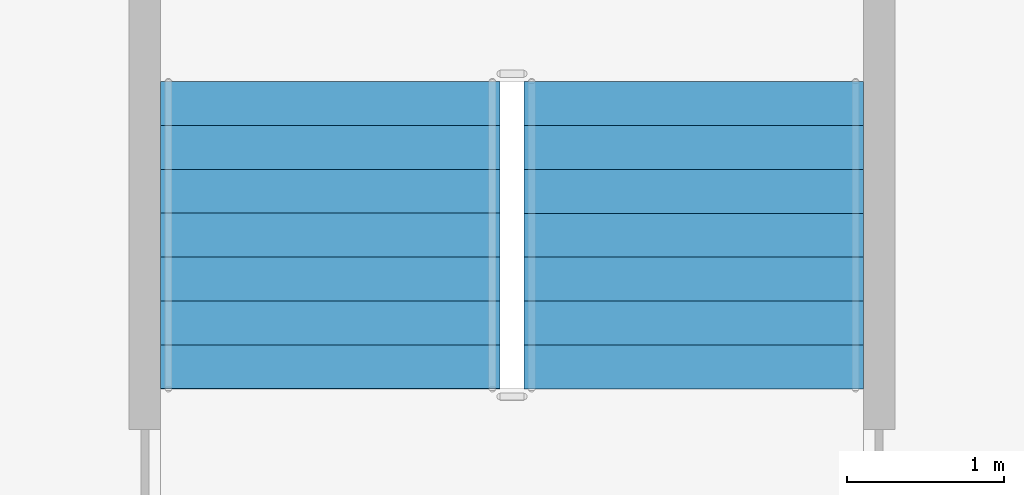
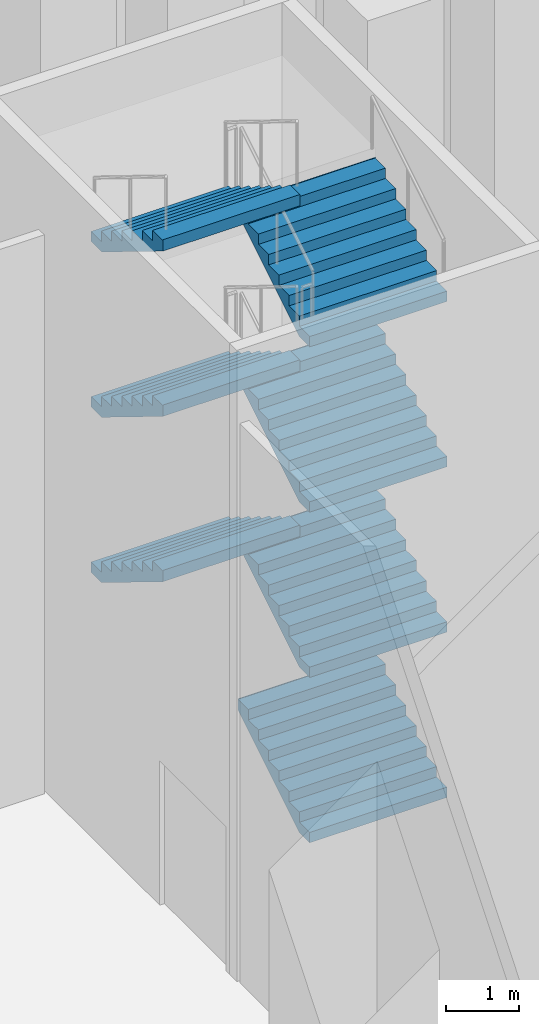
# One storey, part 21 of 31: 7 stair flights, 1 element without a shape of its own.
"""IFC4 building model written with IfcOpenShell, lengths in metres."""

import ifcopenshell
import ifcopenshell.guid

model = None  # the IFC model being written
_history = None  # IfcOwnerHistory: only IFC2X3 demands one
_inside = {}  # id of a spatial element -> (the spatial element, [elements in it])
_under = {}  # id of a project, library or spatial element -> (it, [spatial elements below it])
_declared = {}  # id of a project -> (the project, [libraries it declares])
_typed = {}  # id of a type object -> (the type object, [elements of that type])
_made_of = {}  # id of a material, layer set ... -> (it, [elements and type objects made of it])


def new_model(schema):
    """Start an empty IFC model of exactly this schema.

    Asked for "IFC4X3", IfcOpenShell would pick the latest addendum, in which some entities
    have other attributes; the version numbers below select the first issue.
    IFC2X3 requires an IfcOwnerHistory on every rooted entity: one is made here for all.
    """
    global model, _history
    if schema == "IFC4X3":
        model = ifcopenshell.file(schema_version=(4, 3, 0, 0))
    else:
        model = ifcopenshell.file(schema=schema)
    _inside.clear()
    _under.clear()
    _declared.clear()
    _typed.clear()
    _made_of.clear()
    _history = None
    if model.schema == "IFC2X3":
        org = make("IfcOrganization", Name="unknown")
        user = make(
            "IfcPersonAndOrganization",
            ThePerson=make("IfcPerson", FamilyName="unknown"),
            TheOrganization=org,
        )
        app = make(
            "IfcApplication",
            ApplicationDeveloper=org,
            Version="unknown",
            ApplicationFullName="unknown",
            ApplicationIdentifier="unknown",
        )
        _history = make(
            "IfcOwnerHistory",
            OwningUser=user,
            OwningApplication=app,
            ChangeAction="ADDED",
            CreationDate=0,
        )
    return model


def make(cls, **values):
    """One entity of the class cls with the attributes given. An attribute that is None is left unset."""
    return model.create_entity(
        cls, **{name: value for name, value in values.items() if value is not None}
    )


def rooted(cls, **values):
    """An entity with a GlobalId (a new one), such as an element, a storey or a relation."""
    return make(cls, GlobalId=ifcopenshell.guid.new(), OwnerHistory=_history, **values)


def si_unit(unit_type, name, prefix=None):
    """IfcSIUnit, for example si_unit("LENGTHUNIT", "METRE", prefix="MILLI")."""
    return make("IfcSIUnit", UnitType=unit_type, Prefix=prefix, Name=name)


def assignment(units):
    """IfcUnitAssignment: the units of a project."""
    return None if units is None else make("IfcUnitAssignment", Units=units)


def point(xyz):
    """IfcCartesianPoint."""
    return None if xyz is None else make("IfcCartesianPoint", Coordinates=xyz)


def direction(xyz):
    """IfcDirection."""
    return None if xyz is None else make("IfcDirection", DirectionRatios=xyz)


def frame(location, z_axis=None, x_axis=None):
    """IfcAxis2Placement3D, a coordinate frame: its origin and axes. An axis left out is left unset."""
    return make(
        "IfcAxis2Placement3D",
        Location=point(location),
        Axis=direction(z_axis),
        RefDirection=direction(x_axis),
    )


def origin():
    """The frame at (0, 0, 0) with its axes left unset."""
    return frame((0.0, 0.0, 0.0))


def place(relative_to, where):
    """IfcLocalPlacement: puts the frame where relative to a parent placement (None: the world)."""
    return make(
        "IfcLocalPlacement", PlacementRelTo=relative_to, RelativePlacement=where
    )


def context(
    kind, dimensions, precision=None, world=None, true_north=None, identifier=None
):
    """IfcGeometricRepresentationContext, for example the 3D "Model" context."""
    return make(
        "IfcGeometricRepresentationContext",
        ContextIdentifier=identifier,
        ContextType=kind,
        CoordinateSpaceDimension=dimensions,
        Precision=precision,
        WorldCoordinateSystem=world,
        TrueNorth=true_north,
    )


def subcontext(parent, identifier, kind, view, scale=None):
    """IfcGeometricRepresentationSubContext, for example "Body" below "Model"."""
    return make(
        "IfcGeometricRepresentationSubContext",
        ContextIdentifier=identifier,
        ContextType=kind,
        ParentContext=parent,
        TargetScale=scale,
        TargetView=view,
    )


def project(units=None, contexts=None):
    """IfcProject with its units and contexts."""
    return rooted(
        "IfcProject",
        Name="project",
        RepresentationContexts=contexts,
        UnitsInContext=assignment(units),
    )


def spatial(cls, under=None, at=None, **own):
    """A site, building, storey or space (cls), placed at a placement, below another one or the project."""
    s = rooted(cls, ObjectPlacement=at, **own)
    if under is not None:
        _under.setdefault(under.id(), (under, []))[1].append(s)
    return s


def faces_of(points, faces, orient=None, outer=None):
    """IfcFace entities. A face is a list of loops; a loop is a list of indices into points, from 0.

    orient and outer hold one flag for each loop. By default every Orientation is true, the
    first loop of a face is its IfcFaceOuterBound and the others are IfcFaceBound.
    """
    made = []
    for i, loops in enumerate(faces):
        bounds = []
        for j, loop in enumerate(loops):
            is_outer = j == 0 if outer is None else outer[i][j]
            bounds.append(
                make(
                    "IfcFaceOuterBound" if is_outer else "IfcFaceBound",
                    Bound=make("IfcPolyLoop", Polygon=[points[k] for k in loop]),
                    Orientation=True if orient is None else orient[i][j],
                )
            )
        made.append(make("IfcFace", Bounds=bounds))
    return made


def faceted_brep(points, faces, orient=None, outer=None, voids=None):
    """IfcFacetedBrep: a solid bounded by flat faces; with voids (closed shells), ...WithVoids."""
    shared = [point(p) for p in points]
    hull = make("IfcClosedShell", CfsFaces=faces_of(shared, faces, orient, outer))
    if voids is None:
        return make("IfcFacetedBrep", Outer=hull)
    return make(
        "IfcFacetedBrepWithVoids",
        Outer=hull,
        Voids=[
            make(cls, CfsFaces=faces_of(shared, fs, o, b)) for cls, fs, o, b in voids
        ],
    )


def shape(context_of_items, identifier, shape_type, items):
    """IfcShapeRepresentation: the items that make up one representation, for example the "Body"."""
    return make(
        "IfcShapeRepresentation",
        ContextOfItems=context_of_items,
        RepresentationIdentifier=identifier,
        RepresentationType=shape_type,
        Items=items,
    )


def source(mapping_origin, context_of_items, identifier, shape_type, items):
    """IfcRepresentationMap: a shape defined once, which mapped items show again and again."""
    return make(
        "IfcRepresentationMap",
        MappingOrigin=mapping_origin,
        MappedRepresentation=shape(context_of_items, identifier, shape_type, items),
    )


def transform(
    local_origin,
    x_axis=None,
    y_axis=None,
    z_axis=None,
    scale=None,
    scale2=None,
    scale3=None,
    uniform=True,
):
    """IfcCartesianTransformationOperator3D, or its non-uniform kind. x_axis, y_axis, z_axis: its Axis1, 2, 3."""
    if uniform:
        return make(
            "IfcCartesianTransformationOperator3D",
            Axis1=direction(x_axis),
            Axis2=direction(y_axis),
            LocalOrigin=point(local_origin),
            Scale=scale,
            Axis3=direction(z_axis),
        )
    return make(
        "IfcCartesianTransformationOperator3DnonUniform",
        Axis1=direction(x_axis),
        Axis2=direction(y_axis),
        LocalOrigin=point(local_origin),
        Scale=scale,
        Axis3=direction(z_axis),
        Scale2=scale2,
        Scale3=scale3,
    )


def mapped(mapping_source, mapping_target):
    """IfcMappedItem: shows the shape of a source again, moved by a transform."""
    return make(
        "IfcMappedItem", MappingSource=mapping_source, MappingTarget=mapping_target
    )


def material(Name=None, Category=None):
    """IfcMaterial."""
    return make("IfcMaterial", Name=Name, Category=Category)


def made_of(thing, what):
    """Note that an element or type object is made of a material, layer set ...; save() writes the relation."""
    if what is not None:
        _made_of.setdefault(what.id(), (what, []))[1].append(thing)
    return thing


def type_object(cls, material=None, **own):
    """A type object (cls), such as IfcWallType, which elements share."""
    return made_of(rooted(cls, **own), material)


def element(
    cls,
    number,
    at=None,
    inside=None,
    cuts=None,
    type_object=None,
    material=None,
    context=None,
    identifier="Body",
    shape_type=None,
    held_by="IfcProductDefinitionShape",
    body=None,
    shapes=None,
    **own,
):
    """One element of the class cls, such as IfcWall. Its Tag is "e" and its number.

    at: its placement. inside: the storey or other place that contains it. cuts: it is an
    opening in that element (IfcRelVoidsElement). A single representation is given by context,
    identifier, shape_type and body (its items); several are given by shapes. held_by: the class
    of the entity that holds the representations. save() writes the other relations.
    """
    e = rooted(cls, Tag="e%d" % number, ObjectPlacement=at, **own)
    if body is not None:
        shapes = [shape(context, identifier, shape_type, body)]
    if shapes is not None:
        e.Representation = make(held_by, Representations=shapes)
    if inside is not None:
        _inside.setdefault(inside.id(), (inside, []))[1].append(e)
    if cuts is not None:
        rooted(
            "IfcRelVoidsElement", RelatingBuildingElement=cuts, RelatedOpeningElement=e
        )
    if type_object is not None:
        _typed.setdefault(type_object.id(), (type_object, []))[1].append(e)
    return made_of(e, material)


def aggregate(whole, parts):
    """IfcRelAggregates: a whole, such as a stair, and the parts it consists of."""
    return rooted("IfcRelAggregates", RelatingObject=whole, RelatedObjects=parts)


def save(model, path):
    """Write the relations noted so far, then the file.

    IfcRelAggregates (storeys below a building ...), IfcRelContainedInSpatialStructure (elements
    in a storey), IfcRelDefinesByType, IfcRelAssociatesMaterial and IfcRelDeclares: one each for
    every whole, place, type object, material and project.
    """
    for whole, parts in _under.values():
        aggregate(whole, parts)
    for where, things in _inside.values():
        rooted(
            "IfcRelContainedInSpatialStructure",
            RelatedElements=things,
            RelatingStructure=where,
        )
    for kind, things in _typed.values():
        rooted("IfcRelDefinesByType", RelatedObjects=things, RelatingType=kind)
    for what, things in _made_of.values():
        rooted("IfcRelAssociatesMaterial", RelatedObjects=things, RelatingMaterial=what)
    for by, libraries in _declared.values():
        rooted("IfcRelDeclares", RelatingContext=by, RelatedDefinitions=libraries)
    model.write(path)


model = new_model("IFC4")

# Units and contexts
model_context = context("Model", 3, precision=1e-05, world=origin(), true_north=direction((0.0, 1.0)))
body_context = subcontext(model_context, "Body", "Model", "MODEL_VIEW")
ifc_project = project(units=[si_unit("LENGTHUNIT", "METRE"), si_unit("AREAUNIT", "SQUARE_METRE"), si_unit("VOLUMEUNIT", "CUBIC_METRE"), si_unit("PLANEANGLEUNIT", "RADIAN"), si_unit("MASSUNIT", "GRAM", prefix="KILO")], contexts=[model_context])

# Site, building, storey
site_placement = place(None, origin())
site = spatial("IfcSite", under=ifc_project, at=site_placement, CompositionType="ELEMENT")
building_placement = place(site_placement, origin())
building = spatial("IfcBuilding", under=site, at=building_placement, Name="Calabash Gate Tower", CompositionType="ELEMENT")
storey_placement = place(building_placement, frame((0.0, 0.0, 9.0)))
storey = spatial("IfcBuildingStorey", under=building, at=storey_placement, Name="L01", CompositionType="ELEMENT", Elevation=9.0)

# Stair, stair flights
ifc_material_1 = material(Name="Concrete C40/50", Category="concrete")
stair_type = type_object("IfcStairType", Name="Public stair 64 risers of 171.9 mm", PredefinedType="HALF_TURN_STAIR", material=ifc_material_1)
stair_placement = place(storey_placement, origin())
stair = element("IfcStair", 1, at=stair_placement, inside=storey, type_object=stair_type, Name="L01 Public Stair PS10", PredefinedType="HALF_TURN_STAIR")
ifc_material_2 = material(Name="Concrete C40/50", Category="concrete")
stair_flight_type = type_object("IfcStairFlightType", Name="Exit stair flight SFL", PredefinedType="STRAIGHT", material=ifc_material_2)
shared_shape = source(origin(), body_context, "Body", "Brep", [
    faceted_brep([(-0.0009765625, -1.080078125, 0.0), (0.285888671875, -1.080078125, 0.0), (1.9541015625, -1.080078125, 1.027099609375), (-0.0009765625, 1.080078125, 0.0), (1.9541015625, 1.080078125, 1.027099609375), (0.285888671875, 1.080078125, 0.0), (1.9541015625, -1.080078125, 1.215087890625), (1.952880859375, -1.080078125, 1.215087890625), (1.952880859375, 1.080078125, 1.215087890625), (1.9541015625, 1.080078125, 1.215087890625), (1.952880859375, -1.080078125, 1.203125), (1.952880859375, 1.080078125, 1.203125), (1.674072265625, -1.080078125, 1.203125), (1.674072265625, 1.080078125, 1.203125), (1.674072265625, -1.080078125, 1.03125), (1.674072265625, 1.080078125, 1.03125), (1.39501953125, -1.080078125, 1.03125), (1.39501953125, 1.080078125, 1.03125), (1.39501953125, -1.080078125, 0.859375), (1.39501953125, 1.080078125, 0.859375), (1.115966796875, -1.080078125, 0.859375), (1.115966796875, -1.080078125, 0.6875), (1.115966796875, 1.080078125, 0.6875), (1.115966796875, 1.080078125, 0.859375), (0.8369140625, -1.080078125, 0.6875), (0.8369140625, -1.080078125, 0.515625), (0.8369140625, 1.080078125, 0.515625), (0.8369140625, 1.080078125, 0.6875), (0.55810546875, -1.080078125, 0.515625), (0.55810546875, -1.080078125, 0.34375), (0.55810546875, 1.080078125, 0.34375), (0.55810546875, 1.080078125, 0.515625), (0.279052734375, -1.080078125, 0.34375), (0.279052734375, -1.080078125, 0.171875), (0.279052734375, 1.080078125, 0.171875), (0.279052734375, 1.080078125, 0.34375), (-0.0009765625, -1.080078125, 0.171875), (-0.0009765625, 1.080078125, 0.171875), (0.285888671875, -0.431884765625, 0.0), (1.9541015625, -0.431884765625, 1.027099609375), (0.285888671875, -0.370361328125, 0.0), (1.9541015625, -0.370361328125, 1.027099609375), (0.285888671875, -0.30859375, 0.0), (1.9541015625, -0.30859375, 1.027099609375), (0.285888671875, -0.246826171875, 0.0), (1.9541015625, -0.246826171875, 1.027099609375), (0.285888671875, -0.18505859375, 0.0), (1.9541015625, -0.18505859375, 1.027099609375), (0.285888671875, -0.12353515625, 0.0), (1.9541015625, -0.12353515625, 1.027099609375), (0.285888671875, -0.061767578125, 0.0), (1.9541015625, -0.061767578125, 1.027099609375), (0.285888671875, 0.0, 0.0), (1.9541015625, 0.0, 1.027099609375), (0.285888671875, 0.061767578125, 0.0), (1.9541015625, 0.061767578125, 1.027099609375), (0.285888671875, 0.12353515625, 0.0), (1.9541015625, 0.12353515625, 1.027099609375), (0.285888671875, 0.18505859375, 0.0), (1.9541015625, 0.18505859375, 1.027099609375), (0.285888671875, 0.246826171875, 0.0), (1.9541015625, 0.246826171875, 1.027099609375), (0.285888671875, 0.30859375, 0.0), (1.9541015625, 0.30859375, 1.027099609375), (0.285888671875, 0.370361328125, 0.0), (1.9541015625, 0.370361328125, 1.027099609375), (0.285888671875, 0.431884765625, 0.0), (1.9541015625, 0.431884765625, 1.027099609375), (1.9541015625, -0.431884765625, 1.215087890625), (1.9541015625, -0.370361328125, 1.215087890625), (1.9541015625, -0.30859375, 1.215087890625), (1.9541015625, -0.246826171875, 1.215087890625), (1.9541015625, -0.18505859375, 1.215087890625), (1.9541015625, -0.12353515625, 1.215087890625), (1.9541015625, -0.061767578125, 1.215087890625), (1.9541015625, 0.0, 1.215087890625), (1.9541015625, 0.061767578125, 1.215087890625), (1.9541015625, 0.12353515625, 1.215087890625), (1.9541015625, 0.18505859375, 1.215087890625), (1.9541015625, 0.246826171875, 1.215087890625), (1.9541015625, 0.30859375, 1.215087890625), (1.9541015625, 0.370361328125, 1.215087890625), (1.9541015625, 0.431884765625, 1.215087890625), (1.952880859375, -0.431884765625, 1.215087890625), (1.952880859375, -0.370361328125, 1.215087890625), (1.952880859375, -0.30859375, 1.215087890625), (1.952880859375, -0.246826171875, 1.215087890625), (1.952880859375, -0.18505859375, 1.215087890625), (1.952880859375, -0.12353515625, 1.215087890625), (1.952880859375, -0.061767578125, 1.215087890625), (1.952880859375, 0.0, 1.215087890625), (1.952880859375, 0.061767578125, 1.215087890625), (1.952880859375, 0.12353515625, 1.215087890625), (1.952880859375, 0.18505859375, 1.215087890625), (1.952880859375, 0.246826171875, 1.215087890625), (1.952880859375, 0.30859375, 1.215087890625), (1.952880859375, 0.370361328125, 1.215087890625), (1.952880859375, 0.431884765625, 1.215087890625), (1.952880859375, -0.431884765625, 1.203125), (1.952880859375, -0.370361328125, 1.203125), (1.952880859375, -0.30859375, 1.203125), (1.952880859375, -0.246826171875, 1.203125), (1.952880859375, -0.18505859375, 1.203125), (1.952880859375, -0.12353515625, 1.203125), (1.952880859375, -0.061767578125, 1.203125), (1.952880859375, 0.0, 1.203125), (1.952880859375, 0.061767578125, 1.203125), (1.952880859375, 0.12353515625, 1.203125), (1.952880859375, 0.18505859375, 1.203125), (1.952880859375, 0.246826171875, 1.203125), (1.952880859375, 0.30859375, 1.203125), (1.952880859375, 0.370361328125, 1.203125), (1.952880859375, 0.431884765625, 1.203125), (1.674072265625, -0.431884765625, 1.203125), (1.674072265625, -0.370361328125, 1.203125), (1.674072265625, -0.30859375, 1.203125), (1.674072265625, -0.246826171875, 1.203125), (1.674072265625, -0.18505859375, 1.203125), (1.674072265625, -0.12353515625, 1.203125), (1.674072265625, -0.061767578125, 1.203125), (1.674072265625, 0.0, 1.203125), (1.674072265625, 0.061767578125, 1.203125), (1.674072265625, 0.12353515625, 1.203125), (1.674072265625, 0.18505859375, 1.203125), (1.674072265625, 0.246826171875, 1.203125), (1.674072265625, 0.30859375, 1.203125), (1.674072265625, 0.370361328125, 1.203125), (1.674072265625, 0.431884765625, 1.203125), (1.674072265625, -0.431884765625, 1.03125), (1.674072265625, -0.370361328125, 1.03125), (1.674072265625, -0.30859375, 1.03125), (1.674072265625, -0.246826171875, 1.03125), (1.674072265625, -0.18505859375, 1.03125), (1.674072265625, -0.12353515625, 1.03125), (1.674072265625, -0.061767578125, 1.03125), (1.674072265625, 0.0, 1.03125), (1.674072265625, 0.061767578125, 1.03125), (1.674072265625, 0.12353515625, 1.03125), (1.674072265625, 0.18505859375, 1.03125), (1.674072265625, 0.246826171875, 1.03125), (1.674072265625, 0.30859375, 1.03125), (1.674072265625, 0.370361328125, 1.03125), (1.674072265625, 0.431884765625, 1.03125), (1.39501953125, -0.431884765625, 1.03125), (1.39501953125, -0.370361328125, 1.03125), (1.39501953125, -0.30859375, 1.03125), (1.39501953125, -0.246826171875, 1.03125), (1.39501953125, -0.18505859375, 1.03125), (1.39501953125, -0.12353515625, 1.03125), (1.39501953125, -0.061767578125, 1.03125), (1.39501953125, 0.0, 1.03125), (1.39501953125, 0.061767578125, 1.03125), (1.39501953125, 0.12353515625, 1.03125), (1.39501953125, 0.18505859375, 1.03125), (1.39501953125, 0.246826171875, 1.03125), (1.39501953125, 0.30859375, 1.03125), (1.39501953125, 0.370361328125, 1.03125), (1.39501953125, 0.431884765625, 1.03125), (1.39501953125, -0.431884765625, 0.859375), (1.39501953125, -0.370361328125, 0.859375), (1.39501953125, -0.30859375, 0.859375), (1.39501953125, -0.246826171875, 0.859375), (1.39501953125, -0.18505859375, 0.859375), (1.39501953125, -0.12353515625, 0.859375), (1.39501953125, -0.061767578125, 0.859375), (1.39501953125, 0.0, 0.859375), (1.39501953125, 0.061767578125, 0.859375), (1.39501953125, 0.12353515625, 0.859375), (1.39501953125, 0.18505859375, 0.859375), (1.39501953125, 0.246826171875, 0.859375), (1.39501953125, 0.30859375, 0.859375), (1.39501953125, 0.370361328125, 0.859375), (1.39501953125, 0.431884765625, 0.859375), (1.115966796875, -0.431884765625, 0.859375), (1.115966796875, -0.370361328125, 0.859375), (1.115966796875, -0.30859375, 0.859375), (1.115966796875, -0.246826171875, 0.859375), (1.115966796875, -0.18505859375, 0.859375), (1.115966796875, -0.12353515625, 0.859375), (1.115966796875, -0.061767578125, 0.859375), (1.115966796875, 0.0, 0.859375), (1.115966796875, 0.061767578125, 0.859375), (1.115966796875, 0.12353515625, 0.859375), (1.115966796875, 0.18505859375, 0.859375), (1.115966796875, 0.246826171875, 0.859375), (1.115966796875, 0.30859375, 0.859375), (1.115966796875, 0.370361328125, 0.859375), (1.115966796875, 0.431884765625, 0.859375), (1.115966796875, -0.431884765625, 0.6875), (1.115966796875, -0.370361328125, 0.6875), (1.115966796875, -0.30859375, 0.6875), (1.115966796875, -0.246826171875, 0.6875), (1.115966796875, -0.18505859375, 0.6875), (1.115966796875, -0.12353515625, 0.6875), (1.115966796875, -0.061767578125, 0.6875), (1.115966796875, 0.0, 0.6875), (1.115966796875, 0.061767578125, 0.6875), (1.115966796875, 0.12353515625, 0.6875), (1.115966796875, 0.18505859375, 0.6875), (1.115966796875, 0.246826171875, 0.6875), (1.115966796875, 0.30859375, 0.6875), (1.115966796875, 0.370361328125, 0.6875), (1.115966796875, 0.431884765625, 0.6875), (0.8369140625, -0.431884765625, 0.6875), (0.8369140625, -0.370361328125, 0.6875), (0.8369140625, -0.30859375, 0.6875), (0.8369140625, -0.246826171875, 0.6875), (0.8369140625, -0.18505859375, 0.6875), (0.8369140625, -0.12353515625, 0.6875), (0.8369140625, -0.061767578125, 0.6875), (0.8369140625, 0.0, 0.6875), (0.8369140625, 0.061767578125, 0.6875), (0.8369140625, 0.12353515625, 0.6875), (0.8369140625, 0.18505859375, 0.6875), (0.8369140625, 0.246826171875, 0.6875), (0.8369140625, 0.30859375, 0.6875), (0.8369140625, 0.370361328125, 0.6875), (0.8369140625, 0.431884765625, 0.6875), (0.8369140625, -0.431884765625, 0.515625), (0.8369140625, -0.370361328125, 0.515625), (0.8369140625, -0.30859375, 0.515625), (0.8369140625, -0.246826171875, 0.515625), (0.8369140625, -0.18505859375, 0.515625), (0.8369140625, -0.12353515625, 0.515625), (0.8369140625, -0.061767578125, 0.515625), (0.8369140625, 0.0, 0.515625), (0.8369140625, 0.061767578125, 0.515625), (0.8369140625, 0.12353515625, 0.515625), (0.8369140625, 0.18505859375, 0.515625), (0.8369140625, 0.246826171875, 0.515625), (0.8369140625, 0.30859375, 0.515625), (0.8369140625, 0.370361328125, 0.515625), (0.8369140625, 0.431884765625, 0.515625), (0.55810546875, -0.431884765625, 0.515625), (0.55810546875, -0.370361328125, 0.515625), (0.55810546875, -0.30859375, 0.515625), (0.55810546875, -0.246826171875, 0.515625), (0.55810546875, -0.18505859375, 0.515625), (0.55810546875, -0.12353515625, 0.515625), (0.55810546875, -0.061767578125, 0.515625), (0.55810546875, 0.0, 0.515625), (0.55810546875, 0.061767578125, 0.515625), (0.55810546875, 0.12353515625, 0.515625), (0.55810546875, 0.18505859375, 0.515625), (0.55810546875, 0.246826171875, 0.515625), (0.55810546875, 0.30859375, 0.515625), (0.55810546875, 0.370361328125, 0.515625), (0.55810546875, 0.431884765625, 0.515625), (0.55810546875, -0.431884765625, 0.34375), (0.55810546875, -0.370361328125, 0.34375), (0.55810546875, -0.30859375, 0.34375), (0.55810546875, -0.246826171875, 0.34375), (0.55810546875, -0.18505859375, 0.34375), (0.55810546875, -0.12353515625, 0.34375), (0.55810546875, -0.061767578125, 0.34375), (0.55810546875, 0.0, 0.34375), (0.55810546875, 0.061767578125, 0.34375), (0.55810546875, 0.12353515625, 0.34375), (0.55810546875, 0.18505859375, 0.34375), (0.55810546875, 0.246826171875, 0.34375), (0.55810546875, 0.30859375, 0.34375), (0.55810546875, 0.370361328125, 0.34375), (0.55810546875, 0.431884765625, 0.34375), (0.279052734375, -0.431884765625, 0.34375), (0.279052734375, -0.370361328125, 0.34375), (0.279052734375, -0.30859375, 0.34375), (0.279052734375, -0.246826171875, 0.34375), (0.279052734375, -0.18505859375, 0.34375), (0.279052734375, -0.12353515625, 0.34375), (0.279052734375, -0.061767578125, 0.34375), (0.279052734375, 0.0, 0.34375), (0.279052734375, 0.061767578125, 0.34375), (0.279052734375, 0.12353515625, 0.34375), (0.279052734375, 0.18505859375, 0.34375), (0.279052734375, 0.246826171875, 0.34375), (0.279052734375, 0.30859375, 0.34375), (0.279052734375, 0.370361328125, 0.34375), (0.279052734375, 0.431884765625, 0.34375), (0.279052734375, -0.431884765625, 0.171875), (0.279052734375, -0.370361328125, 0.171875), (0.279052734375, -0.30859375, 0.171875), (0.279052734375, -0.246826171875, 0.171875), (0.279052734375, -0.18505859375, 0.171875), (0.279052734375, -0.12353515625, 0.171875), (0.279052734375, -0.061767578125, 0.171875), (0.279052734375, 0.0, 0.171875), (0.279052734375, 0.061767578125, 0.171875), (0.279052734375, 0.12353515625, 0.171875), (0.279052734375, 0.18505859375, 0.171875), (0.279052734375, 0.246826171875, 0.171875), (0.279052734375, 0.30859375, 0.171875), (0.279052734375, 0.370361328125, 0.171875), (0.279052734375, 0.431884765625, 0.171875), (-0.0009765625, -0.431884765625, 0.171875), (-0.0009765625, -0.370361328125, 0.171875), (-0.0009765625, -0.30859375, 0.171875), (-0.0009765625, -0.246826171875, 0.171875), (-0.0009765625, -0.18505859375, 0.171875), (-0.0009765625, -0.12353515625, 0.171875), (-0.0009765625, -0.061767578125, 0.171875), (-0.0009765625, 0.0, 0.171875), (-0.0009765625, 0.061767578125, 0.171875), (-0.0009765625, 0.12353515625, 0.171875), (-0.0009765625, 0.18505859375, 0.171875), (-0.0009765625, 0.246826171875, 0.171875), (-0.0009765625, 0.30859375, 0.171875), (-0.0009765625, 0.370361328125, 0.171875), (-0.0009765625, 0.431884765625, 0.171875), (-0.0009765625, -0.431884765625, 0.0), (-0.0009765625, -0.370361328125, 0.0), (-0.0009765625, -0.30859375, 0.0), (-0.0009765625, -0.246826171875, 0.0), (-0.0009765625, -0.18505859375, 0.0), (-0.0009765625, -0.12353515625, 0.0), (-0.0009765625, -0.061767578125, 0.0), (-0.0009765625, 0.0, 0.0), (-0.0009765625, 0.061767578125, 0.0), (-0.0009765625, 0.12353515625, 0.0), (-0.0009765625, 0.18505859375, 0.0), (-0.0009765625, 0.246826171875, 0.0), (-0.0009765625, 0.30859375, 0.0), (-0.0009765625, 0.370361328125, 0.0), (-0.0009765625, 0.431884765625, 0.0)], [[[0, 1, 2]], [[3, 4, 5]], [[2, 6, 7]], [[4, 8, 9]], [[2, 7, 10]], [[4, 11, 8]], [[2, 10, 12]], [[4, 13, 11]], [[2, 12, 14]], [[4, 15, 13]], [[2, 14, 16]], [[4, 17, 15]], [[2, 16, 18]], [[4, 19, 17]], [[18, 20, 21]], [[19, 22, 23]], [[2, 18, 21]], [[4, 22, 19]], [[21, 24, 25]], [[22, 26, 27]], [[2, 21, 25]], [[4, 26, 22]], [[25, 28, 29]], [[26, 30, 31]], [[2, 25, 29]], [[4, 30, 26]], [[29, 32, 33]], [[30, 34, 35]], [[2, 29, 33]], [[4, 34, 30]], [[0, 2, 33]], [[3, 34, 4]], [[33, 36, 0]], [[34, 3, 37]], [[1, 38, 2]], [[38, 39, 2]], [[38, 40, 39]], [[40, 41, 39]], [[40, 42, 41]], [[42, 43, 41]], [[42, 44, 43]], [[44, 45, 43]], [[44, 46, 45]], [[46, 47, 45]], [[46, 48, 47]], [[48, 49, 47]], [[48, 50, 49]], [[50, 51, 49]], [[50, 52, 51]], [[52, 53, 51]], [[52, 54, 55]], [[52, 55, 53]], [[54, 56, 57]], [[54, 57, 55]], [[56, 58, 59]], [[56, 59, 57]], [[58, 60, 61]], [[58, 61, 59]], [[60, 62, 63]], [[60, 63, 61]], [[62, 64, 65]], [[62, 65, 63]], [[64, 66, 67]], [[64, 67, 65]], [[66, 5, 4]], [[66, 4, 67]], [[2, 39, 6]], [[39, 68, 6]], [[39, 41, 68]], [[41, 69, 68]], [[41, 43, 69]], [[43, 70, 69]], [[43, 45, 70]], [[45, 71, 70]], [[45, 47, 71]], [[47, 72, 71]], [[47, 49, 72]], [[49, 73, 72]], [[49, 51, 73]], [[51, 74, 73]], [[51, 53, 74]], [[53, 75, 74]], [[53, 55, 76]], [[53, 76, 75]], [[55, 57, 77]], [[55, 77, 76]], [[57, 59, 78]], [[57, 78, 77]], [[59, 61, 79]], [[59, 79, 78]], [[61, 63, 80]], [[61, 80, 79]], [[63, 65, 81]], [[63, 81, 80]], [[65, 67, 82]], [[65, 82, 81]], [[67, 4, 9]], [[67, 9, 82]], [[6, 68, 7]], [[68, 83, 7]], [[68, 69, 83]], [[69, 84, 83]], [[69, 70, 84]], [[70, 85, 84]], [[70, 71, 85]], [[71, 86, 85]], [[71, 72, 86]], [[72, 87, 86]], [[72, 73, 87]], [[73, 88, 87]], [[73, 74, 88]], [[74, 89, 88]], [[74, 75, 89]], [[75, 90, 89]], [[75, 76, 91]], [[75, 91, 90]], [[76, 77, 92]], [[76, 92, 91]], [[77, 78, 93]], [[77, 93, 92]], [[78, 79, 94]], [[78, 94, 93]], [[79, 80, 95]], [[79, 95, 94]], [[80, 81, 96]], [[80, 96, 95]], [[81, 82, 97]], [[81, 97, 96]], [[82, 9, 8]], [[82, 8, 97]], [[7, 83, 10]], [[83, 98, 10]], [[83, 84, 98]], [[84, 99, 98]], [[84, 85, 99]], [[85, 100, 99]], [[85, 86, 100]], [[86, 101, 100]], [[86, 87, 101]], [[87, 102, 101]], [[87, 88, 102]], [[88, 103, 102]], [[88, 89, 103]], [[89, 104, 103]], [[89, 90, 104]], [[90, 105, 104]], [[90, 91, 106]], [[90, 106, 105]], [[91, 92, 107]], [[91, 107, 106]], [[92, 93, 108]], [[92, 108, 107]], [[93, 94, 109]], [[93, 109, 108]], [[94, 95, 110]], [[94, 110, 109]], [[95, 96, 111]], [[95, 111, 110]], [[96, 97, 112]], [[96, 112, 111]], [[97, 8, 11]], [[97, 11, 112]], [[10, 98, 12]], [[98, 113, 12]], [[98, 99, 113]], [[99, 114, 113]], [[99, 100, 114]], [[100, 115, 114]], [[100, 101, 115]], [[101, 116, 115]], [[101, 102, 116]], [[102, 117, 116]], [[102, 103, 117]], [[103, 118, 117]], [[103, 104, 118]], [[104, 119, 118]], [[104, 105, 119]], [[105, 120, 119]], [[105, 106, 121]], [[105, 121, 120]], [[106, 107, 122]], [[106, 122, 121]], [[107, 108, 123]], [[107, 123, 122]], [[108, 109, 124]], [[108, 124, 123]], [[109, 110, 125]], [[109, 125, 124]], [[110, 111, 126]], [[110, 126, 125]], [[111, 112, 127]], [[111, 127, 126]], [[112, 11, 13]], [[112, 13, 127]], [[12, 113, 14]], [[113, 128, 14]], [[113, 114, 128]], [[114, 129, 128]], [[114, 115, 129]], [[115, 130, 129]], [[115, 116, 130]], [[116, 131, 130]], [[116, 117, 131]], [[117, 132, 131]], [[117, 118, 132]], [[118, 133, 132]], [[118, 119, 133]], [[119, 134, 133]], [[119, 120, 134]], [[120, 135, 134]], [[120, 121, 136]], [[120, 136, 135]], [[121, 122, 137]], [[121, 137, 136]], [[122, 123, 138]], [[122, 138, 137]], [[123, 124, 139]], [[123, 139, 138]], [[124, 125, 140]], [[124, 140, 139]], [[125, 126, 141]], [[125, 141, 140]], [[126, 127, 142]], [[126, 142, 141]], [[127, 13, 15]], [[127, 15, 142]], [[14, 128, 16]], [[128, 143, 16]], [[128, 129, 143]], [[129, 144, 143]], [[129, 130, 144]], [[130, 145, 144]], [[130, 131, 145]], [[131, 146, 145]], [[131, 132, 146]], [[132, 147, 146]], [[132, 133, 147]], [[133, 148, 147]], [[133, 134, 148]], [[134, 149, 148]], [[134, 135, 149]], [[135, 150, 149]], [[135, 136, 151]], [[135, 151, 150]], [[136, 137, 152]], [[136, 152, 151]], [[137, 138, 153]], [[137, 153, 152]], [[138, 139, 154]], [[138, 154, 153]], [[139, 140, 155]], [[139, 155, 154]], [[140, 141, 156]], [[140, 156, 155]], [[141, 142, 157]], [[141, 157, 156]], [[142, 15, 17]], [[142, 17, 157]], [[16, 143, 18]], [[143, 158, 18]], [[143, 144, 158]], [[144, 159, 158]], [[144, 145, 159]], [[145, 160, 159]], [[145, 146, 160]], [[146, 161, 160]], [[146, 147, 161]], [[147, 162, 161]], [[147, 148, 162]], [[148, 163, 162]], [[148, 149, 163]], [[149, 164, 163]], [[149, 150, 164]], [[150, 165, 164]], [[150, 151, 166]], [[150, 166, 165]], [[151, 152, 167]], [[151, 167, 166]], [[152, 153, 168]], [[152, 168, 167]], [[153, 154, 169]], [[153, 169, 168]], [[154, 155, 170]], [[154, 170, 169]], [[155, 156, 171]], [[155, 171, 170]], [[156, 157, 172]], [[156, 172, 171]], [[157, 17, 19]], [[157, 19, 172]], [[18, 158, 20]], [[158, 173, 20]], [[158, 159, 173]], [[159, 174, 173]], [[159, 160, 174]], [[160, 175, 174]], [[160, 161, 175]], [[161, 176, 175]], [[161, 162, 176]], [[162, 177, 176]], [[162, 163, 177]], [[163, 178, 177]], [[163, 164, 178]], [[164, 179, 178]], [[164, 165, 179]], [[165, 180, 179]], [[165, 166, 181]], [[165, 181, 180]], [[166, 167, 182]], [[166, 182, 181]], [[167, 168, 183]], [[167, 183, 182]], [[168, 169, 184]], [[168, 184, 183]], [[169, 170, 185]], [[169, 185, 184]], [[170, 171, 186]], [[170, 186, 185]], [[171, 172, 187]], [[171, 187, 186]], [[172, 19, 23]], [[172, 23, 187]], [[20, 173, 21]], [[173, 188, 21]], [[173, 174, 188]], [[174, 189, 188]], [[174, 175, 189]], [[175, 190, 189]], [[175, 176, 190]], [[176, 191, 190]], [[176, 177, 191]], [[177, 192, 191]], [[177, 178, 192]], [[178, 193, 192]], [[178, 179, 193]], [[179, 194, 193]], [[179, 180, 194]], [[180, 195, 194]], [[180, 181, 196]], [[180, 196, 195]], [[181, 182, 197]], [[181, 197, 196]], [[182, 183, 198]], [[182, 198, 197]], [[183, 184, 199]], [[183, 199, 198]], [[184, 185, 200]], [[184, 200, 199]], [[185, 186, 201]], [[185, 201, 200]], [[186, 187, 202]], [[186, 202, 201]], [[187, 23, 22]], [[187, 22, 202]], [[21, 188, 24]], [[188, 203, 24]], [[188, 189, 203]], [[189, 204, 203]], [[189, 190, 204]], [[190, 205, 204]], [[190, 191, 205]], [[191, 206, 205]], [[191, 192, 206]], [[192, 207, 206]], [[192, 193, 207]], [[193, 208, 207]], [[193, 194, 208]], [[194, 209, 208]], [[194, 195, 209]], [[195, 210, 209]], [[195, 196, 211]], [[195, 211, 210]], [[196, 197, 212]], [[196, 212, 211]], [[197, 198, 213]], [[197, 213, 212]], [[198, 199, 214]], [[198, 214, 213]], [[199, 200, 215]], [[199, 215, 214]], [[200, 201, 216]], [[200, 216, 215]], [[201, 202, 217]], [[201, 217, 216]], [[202, 22, 27]], [[202, 27, 217]], [[24, 203, 25]], [[203, 218, 25]], [[203, 204, 218]], [[204, 219, 218]], [[204, 205, 219]], [[205, 220, 219]], [[205, 206, 220]], [[206, 221, 220]], [[206, 207, 221]], [[207, 222, 221]], [[207, 208, 222]], [[208, 223, 222]], [[208, 209, 223]], [[209, 224, 223]], [[209, 210, 224]], [[210, 225, 224]], [[210, 211, 226]], [[210, 226, 225]], [[211, 212, 227]], [[211, 227, 226]], [[212, 213, 228]], [[212, 228, 227]], [[213, 214, 229]], [[213, 229, 228]], [[214, 215, 230]], [[214, 230, 229]], [[215, 216, 231]], [[215, 231, 230]], [[216, 217, 232]], [[216, 232, 231]], [[217, 27, 26]], [[217, 26, 232]], [[25, 218, 28]], [[218, 233, 28]], [[218, 219, 233]], [[219, 234, 233]], [[219, 220, 234]], [[220, 235, 234]], [[220, 221, 235]], [[221, 236, 235]], [[221, 222, 236]], [[222, 237, 236]], [[222, 223, 237]], [[223, 238, 237]], [[223, 224, 238]], [[224, 239, 238]], [[224, 225, 239]], [[225, 240, 239]], [[225, 226, 241]], [[225, 241, 240]], [[226, 227, 242]], [[226, 242, 241]], [[227, 228, 243]], [[227, 243, 242]], [[228, 229, 244]], [[228, 244, 243]], [[229, 230, 245]], [[229, 245, 244]], [[230, 231, 246]], [[230, 246, 245]], [[231, 232, 247]], [[231, 247, 246]], [[232, 26, 31]], [[232, 31, 247]], [[28, 233, 29]], [[233, 248, 29]], [[233, 234, 248]], [[234, 249, 248]], [[234, 235, 249]], [[235, 250, 249]], [[235, 236, 250]], [[236, 251, 250]], [[236, 237, 251]], [[237, 252, 251]], [[237, 238, 252]], [[238, 253, 252]], [[238, 239, 253]], [[239, 254, 253]], [[239, 240, 254]], [[240, 255, 254]], [[240, 241, 256]], [[240, 256, 255]], [[241, 242, 257]], [[241, 257, 256]], [[242, 243, 258]], [[242, 258, 257]], [[243, 244, 259]], [[243, 259, 258]], [[244, 245, 260]], [[244, 260, 259]], [[245, 246, 261]], [[245, 261, 260]], [[246, 247, 262]], [[246, 262, 261]], [[247, 31, 30]], [[247, 30, 262]], [[29, 248, 32]], [[248, 263, 32]], [[248, 249, 263]], [[249, 264, 263]], [[249, 250, 264]], [[250, 265, 264]], [[250, 251, 265]], [[251, 266, 265]], [[251, 252, 266]], [[252, 267, 266]], [[252, 253, 267]], [[253, 268, 267]], [[253, 254, 268]], [[254, 269, 268]], [[254, 255, 269]], [[255, 270, 269]], [[255, 256, 271]], [[255, 271, 270]], [[256, 257, 272]], [[256, 272, 271]], [[257, 258, 273]], [[257, 273, 272]], [[258, 259, 274]], [[258, 274, 273]], [[259, 260, 275]], [[259, 275, 274]], [[260, 261, 276]], [[260, 276, 275]], [[261, 262, 277]], [[261, 277, 276]], [[262, 30, 35]], [[262, 35, 277]], [[32, 263, 33]], [[263, 278, 33]], [[263, 264, 278]], [[264, 279, 278]], [[264, 265, 279]], [[265, 280, 279]], [[265, 266, 280]], [[266, 281, 280]], [[266, 267, 281]], [[267, 282, 281]], [[267, 268, 282]], [[268, 283, 282]], [[268, 269, 283]], [[269, 284, 283]], [[269, 270, 284]], [[270, 285, 284]], [[270, 271, 286]], [[270, 286, 285]], [[271, 272, 287]], [[271, 287, 286]], [[272, 273, 288]], [[272, 288, 287]], [[273, 274, 289]], [[273, 289, 288]], [[274, 275, 290]], [[274, 290, 289]], [[275, 276, 291]], [[275, 291, 290]], [[276, 277, 292]], [[276, 292, 291]], [[277, 35, 34]], [[277, 34, 292]], [[33, 278, 36]], [[278, 293, 36]], [[278, 279, 293]], [[279, 294, 293]], [[279, 280, 294]], [[280, 295, 294]], [[280, 281, 295]], [[281, 296, 295]], [[281, 282, 296]], [[282, 297, 296]], [[282, 283, 297]], [[283, 298, 297]], [[283, 284, 298]], [[284, 299, 298]], [[284, 285, 299]], [[285, 300, 299]], [[285, 286, 301]], [[285, 301, 300]], [[286, 287, 302]], [[286, 302, 301]], [[287, 288, 303]], [[287, 303, 302]], [[288, 289, 304]], [[288, 304, 303]], [[289, 290, 305]], [[289, 305, 304]], [[290, 291, 306]], [[290, 306, 305]], [[291, 292, 307]], [[291, 307, 306]], [[292, 34, 37]], [[292, 37, 307]], [[36, 293, 0]], [[293, 308, 0]], [[293, 294, 308]], [[294, 309, 308]], [[294, 295, 309]], [[295, 310, 309]], [[295, 296, 310]], [[296, 311, 310]], [[296, 297, 311]], [[297, 312, 311]], [[297, 298, 312]], [[298, 313, 312]], [[298, 299, 313]], [[299, 314, 313]], [[299, 300, 314]], [[300, 315, 314]], [[300, 301, 316]], [[300, 316, 315]], [[301, 302, 317]], [[301, 317, 316]], [[302, 303, 318]], [[302, 318, 317]], [[303, 304, 319]], [[303, 319, 318]], [[304, 305, 320]], [[304, 320, 319]], [[305, 306, 321]], [[305, 321, 320]], [[306, 307, 322]], [[306, 322, 321]], [[307, 37, 3]], [[307, 3, 322]], [[0, 308, 1]], [[308, 38, 1]], [[308, 309, 38]], [[309, 40, 38]], [[309, 310, 40]], [[310, 42, 40]], [[310, 311, 42]], [[311, 44, 42]], [[311, 312, 44]], [[312, 46, 44]], [[312, 313, 46]], [[313, 48, 46]], [[313, 314, 48]], [[314, 50, 48]], [[314, 315, 50]], [[315, 52, 50]], [[315, 316, 54]], [[315, 54, 52]], [[316, 317, 56]], [[316, 56, 54]], [[317, 318, 58]], [[317, 58, 56]], [[318, 319, 60]], [[318, 60, 58]], [[319, 320, 62]], [[319, 62, 60]], [[320, 321, 64]], [[320, 64, 62]], [[321, 322, 66]], [[321, 66, 64]], [[322, 3, 5]], [[322, 5, 66]]]),
])
stair_flight_1_placement = place(storey_placement, frame((37.090087890625, 16.159912109375, 0.0), z_axis=(0.0, 0.0, 1.0), x_axis=(0.0, 1.0, 0.0)))
stair_flight_1 = element("IfcStairFlight", 2, at=stair_flight_1_placement, type_object=stair_flight_type, Name="PS10 flight 1", NumberOfRisers=8, NumberOfTreads=7, PredefinedType="STRAIGHT", RiserHeight=0.171875, TreadLength=0.279, context=body_context, shape_type="MappedRepresentation", body=[
    mapped(shared_shape, transform((0.0, 0.0, 0.0), scale=1.0)),
])
stair_flight_2_placement = place(storey_placement, frame((37.090087890625, 16.159912109375, 2.75), z_axis=(0.0, 0.0, 1.0), x_axis=(0.0, 1.0, 0.0)))
stair_flight_2 = element("IfcStairFlight", 3, at=stair_flight_2_placement, type_object=stair_flight_type, Name="PS10 flight 3", NumberOfRisers=8, NumberOfTreads=7, PredefinedType="STRAIGHT", RiserHeight=0.171875, TreadLength=0.279, context=body_context, shape_type="MappedRepresentation", body=[
    mapped(shared_shape, transform((0.0, 0.0, 0.0), scale=1.0)),
])
stair_flight_3_placement = place(storey_placement, frame((34.780029296875, 18.113037109375, 4.125), z_axis=(0.0, 0.0, 1.0), x_axis=(0.0, -1.0, 0.0)))
stair_flight_3 = element("IfcStairFlight", 4, at=stair_flight_3_placement, type_object=stair_flight_type, Name="PS10 flight 4", NumberOfRisers=8, NumberOfTreads=7, PredefinedType="STRAIGHT", RiserHeight=0.171875, TreadLength=0.279, context=body_context, shape_type="MappedRepresentation", body=[
    mapped(shared_shape, transform((0.0, 0.0, 0.0), scale=1.0)),
])
stair_flight_4_placement = place(storey_placement, frame((37.090087890625, 16.159912109375, 5.5), z_axis=(0.0, 0.0, 1.0), x_axis=(0.0, 1.0, 0.0)))
stair_flight_4 = element("IfcStairFlight", 5, at=stair_flight_4_placement, type_object=stair_flight_type, Name="PS10 flight 5", NumberOfRisers=8, NumberOfTreads=7, PredefinedType="STRAIGHT", RiserHeight=0.171875, TreadLength=0.279, context=body_context, shape_type="MappedRepresentation", body=[
    mapped(shared_shape, transform((0.0, 0.0, 0.0), scale=1.0)),
])
stair_flight_5_placement = place(storey_placement, frame((34.780029296875, 18.113037109375, 6.875), z_axis=(0.0, 0.0, 1.0), x_axis=(0.0, -1.0, 0.0)))
stair_flight_5 = element("IfcStairFlight", 6, at=stair_flight_5_placement, type_object=stair_flight_type, Name="PS10 flight 6", NumberOfRisers=8, NumberOfTreads=7, PredefinedType="STRAIGHT", RiserHeight=0.171875, TreadLength=0.279, context=body_context, shape_type="MappedRepresentation", body=[
    mapped(shared_shape, transform((0.0, 0.0, 0.0), scale=1.0)),
])
stair_flight_6_placement = place(storey_placement, frame((37.090087890625, 16.159912109375, 8.25), z_axis=(0.0, 0.0, 1.0), x_axis=(0.0, 1.0, 0.0)))
stair_flight_6 = element("IfcStairFlight", 7, at=stair_flight_6_placement, type_object=stair_flight_type, Name="PS10 flight 7", NumberOfRisers=8, NumberOfTreads=7, PredefinedType="STRAIGHT", RiserHeight=0.171875, TreadLength=0.279, context=body_context, shape_type="MappedRepresentation", body=[
    mapped(shared_shape, transform((0.0, 0.0, 0.0), scale=1.0)),
])
stair_flight_7_placement = place(storey_placement, frame((34.780029296875, 18.113037109375, 9.625), z_axis=(0.0, 0.0, 1.0), x_axis=(0.0, -1.0, 0.0)))
stair_flight_7 = element("IfcStairFlight", 8, at=stair_flight_7_placement, type_object=stair_flight_type, Name="PS10 flight 8", NumberOfRisers=8, NumberOfTreads=7, PredefinedType="STRAIGHT", RiserHeight=0.171875, TreadLength=0.279, context=body_context, shape_type="MappedRepresentation", body=[
    mapped(shared_shape, transform((0.0, 0.0, 0.0), scale=1.0)),
])
aggregate(stair, [stair_flight_1, stair_flight_2, stair_flight_3, stair_flight_4, stair_flight_5, stair_flight_6, stair_flight_7])

save(model, "model.ifc")
